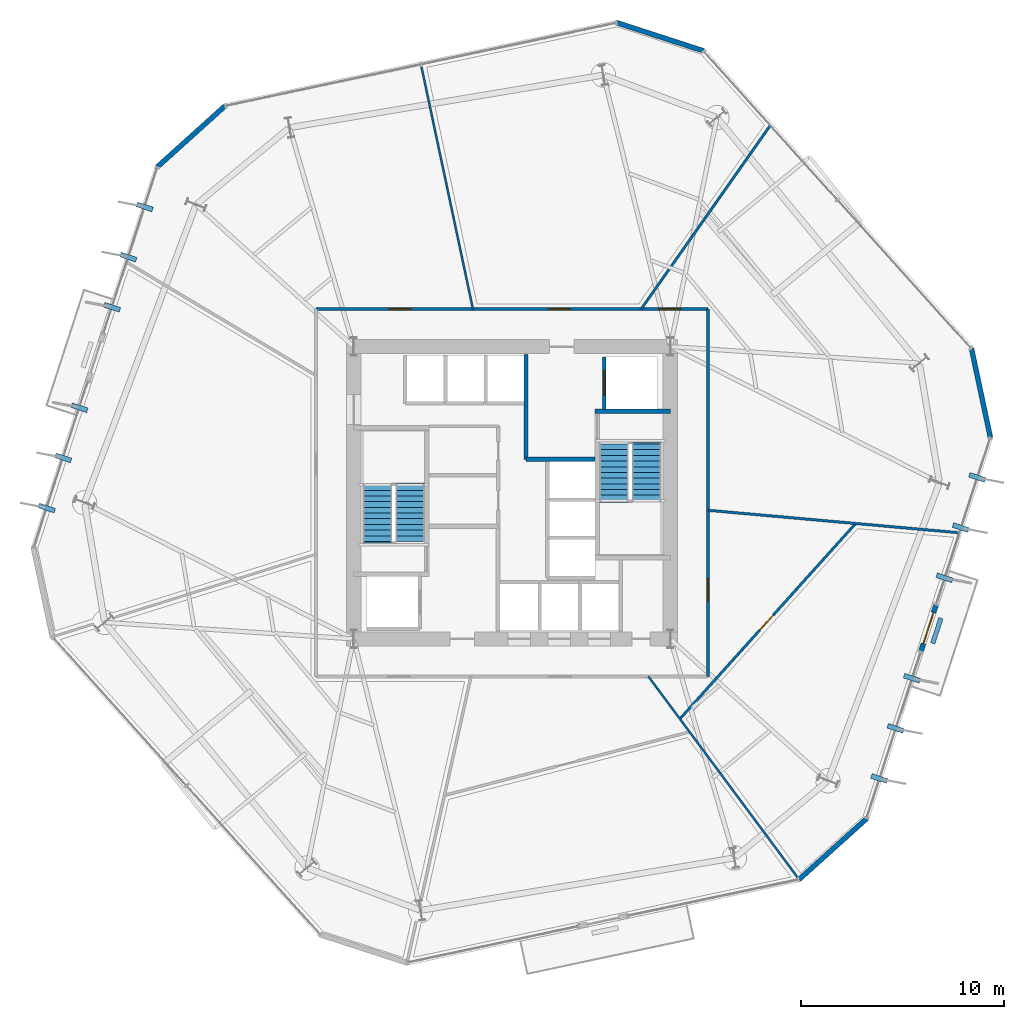
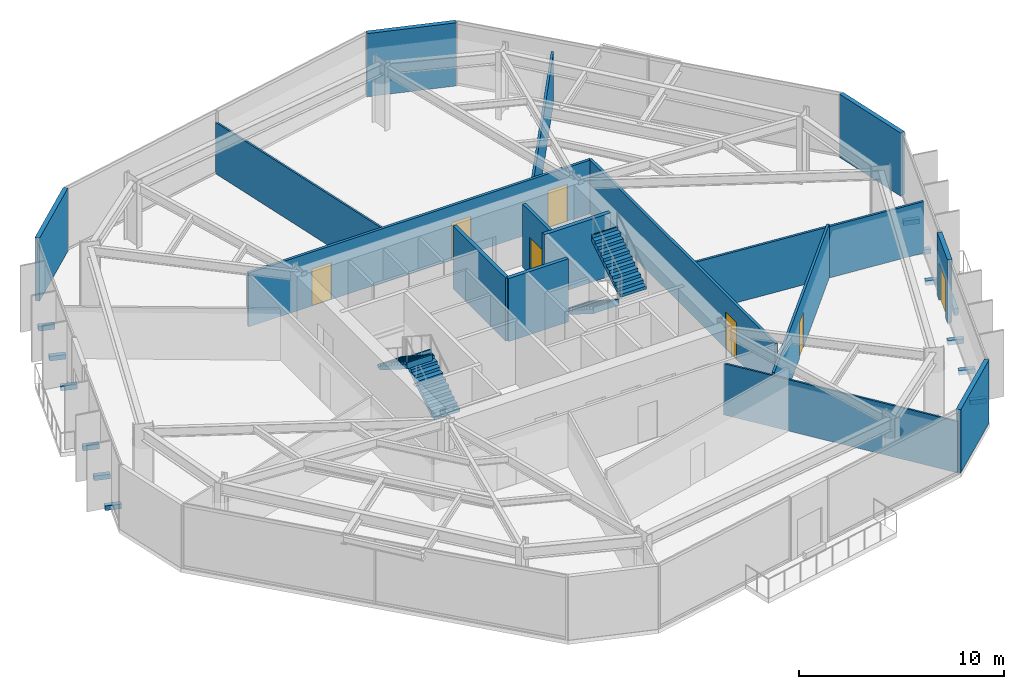
# One storey, part 7 of 10: 17 walls, 12 discrete accessories, 7 doors, 4 stair flights, 7 openings, 2 elements without a shape of their own.
"""IFC4 building model written with IfcOpenShell, lengths in metres."""

from ifc_helpers import new_model, si_unit, direction, frame, frame_2d, origin, origin_2d, place, context, subcontext, project, spatial, polyline, rectangle, outline, extrude, material, layer, layer_set, type_object, element, fill, aggregate, save


model = new_model("IFC4")

# Units and contexts
model_context = context("Model", 3, precision=1e-05, world=origin(), true_north=direction((0.0, 1.0)))
body_context = subcontext(model_context, "Body", "Model", "MODEL_VIEW")
ifc_project = project(units=[si_unit("LENGTHUNIT", "METRE"), si_unit("AREAUNIT", "SQUARE_METRE"), si_unit("VOLUMEUNIT", "CUBIC_METRE"), si_unit("PLANEANGLEUNIT", "RADIAN"), si_unit("MASSUNIT", "GRAM", prefix="KILO")], contexts=[model_context])

# Site, building, storey
site_placement = place(None, origin())
site = spatial("IfcSite", under=ifc_project, at=site_placement, CompositionType="ELEMENT")
building_placement = place(site_placement, origin())
building = spatial("IfcBuilding", under=site, at=building_placement, Name="Kranzbogen Civic Tower", CompositionType="ELEMENT")
storey_placement = place(building_placement, frame((0.0, 0.0, 68.0)))
storey = spatial("IfcBuildingStorey", under=building, at=storey_placement, Name="L16", CompositionType="ELEMENT", Elevation=68.0)

# Wall, openings, doors
ifc_material_1 = material(Name="Double-Stud Acoustic Gypsum Partition")
ifc_layer_1 = layer(ifc_material_1, 0.14990234375, Name="Double-Stud Acoustic Gypsum Partition")
ifc_layer_set_1 = layer_set([ifc_layer_1], Name="Double-Stud Acoustic Gypsum Partition")
wall_type_1 = type_object("IfcWallType", Name="Acoustic Corridor and Clinical Partition 150 mm", PredefinedType="PARTITIONING", material=ifc_layer_set_1)
wall_1_placement = place(storey_placement, frame((15.35009765625, 34.050048828125, 0.0), z_axis=(0.0, 0.0, 1.0), x_axis=(1.0, 0.0, 0.0)))
wall_1 = element("IfcWall", 1, at=wall_1_placement, inside=storey, type_object=wall_type_1, Name="L16 corridor partition 01", PredefinedType="PARTITIONING", context=body_context, shape_type="SweptSolid", body=[
    extrude(rectangle(XDim=19.2998046875, YDim=0.14990234375, at=frame_2d((9.64990234375, 0.0))), origin(), (0.0, 0.0, 1.0), 3.2099609375),
])
opening_1_placement = place(wall_1_placement, frame((16.8701171875, 0.0, 0.0)))
opening_1 = element("IfcOpeningElement", 2, at=opening_1_placement, cuts=wall_1, Name="Opening D-COR60", PredefinedType="OPENING", context=body_context, shape_type="SweptSolid", body=[
    extrude(rectangle(XDim=1.10009765625, YDim=2.199951171875, at=frame_2d((0.550048828125, 1.10009765625))), frame((0.0, 0.0849609375, 0.0), z_axis=(0.0, -1.0, 0.0), x_axis=(1.0, 0.0, 0.0)), (0.0, 0.0, 1.0), 0.169921875),
])
opening_2_placement = place(wall_1_placement, frame((11.430908203125, 0.0, 0.0)))
opening_2 = element("IfcOpeningElement", 3, at=opening_2_placement, cuts=wall_1, Name="Opening D-COR60", PredefinedType="OPENING", context=body_context, shape_type="SweptSolid", body=[
    extrude(rectangle(XDim=1.10009765625, YDim=2.199951171875, at=frame_2d((0.550048828125, 1.10009765625))), frame((0.0, 0.0849609375, 0.0), z_axis=(0.0, -1.0, 0.0), x_axis=(1.0, 0.0, 0.0)), (0.0, 0.0, 1.0), 0.169921875),
])
opening_3_placement = place(wall_1_placement, frame((3.5791015625, 0.0, 0.0)))
opening_3 = element("IfcOpeningElement", 4, at=opening_3_placement, cuts=wall_1, Name="Opening D-COR60", PredefinedType="OPENING", context=body_context, shape_type="SweptSolid", body=[
    extrude(rectangle(XDim=1.10009765625, YDim=2.199951171875, at=frame_2d((0.550048828125, 1.10009765625))), frame((0.0, 0.0849609375, 0.0), z_axis=(0.0, -1.0, 0.0), x_axis=(1.0, 0.0, 0.0)), (0.0, 0.0, 1.0), 0.169921875),
])
ifc_material_2 = material(Name="Oak Timber and Fire Core", Category="wood")
door_type_1 = type_object("IfcDoorType", Name="Corridor Acoustic Fire Door 1100x2200", OperationType="NOTDEFINED", PredefinedType="DOOR", material=ifc_material_2)
door_1_placement = place(opening_1_placement, origin())
door_1 = element("IfcDoor", 5, at=door_1_placement, inside=storey, type_object=door_type_1, Name="L16 Protocol Entrance Reception door", OperationType="SINGLE_SWING_RIGHT", OverallHeight=2.199951171875, OverallWidth=1.10009765625, PredefinedType="DOOR", context=body_context, shape_type="SweptSolid", body=[
    extrude(rectangle(XDim=1.10009765625, YDim=2.199951171875, at=frame_2d((0.550048828125, 1.10009765625))), frame((0.0, 0.02490234375, 0.0), z_axis=(0.0, -1.0, 0.0), x_axis=(1.0, 0.0, 0.0)), (0.0, 0.0, 1.0), 0.050048828125),
])
fill(opening_1, door_1)
door_2_placement = place(opening_2_placement, origin())
door_2 = element("IfcDoor", 6, at=door_2_placement, inside=storey, type_object=door_type_1, Name="L16 Citizen Services Kiosk door", OperationType="SINGLE_SWING_LEFT", OverallHeight=2.199951171875, OverallWidth=1.10009765625, PredefinedType="DOOR", context=body_context, shape_type="SweptSolid", body=[
    extrude(rectangle(XDim=1.10009765625, YDim=2.199951171875, at=frame_2d((0.550048828125, 1.10009765625))), frame((0.0, 0.02490234375, 0.0), z_axis=(0.0, -1.0, 0.0), x_axis=(1.0, 0.0, 0.0)), (0.0, 0.0, 1.0), 0.050048828125),
])
fill(opening_2, door_2)
door_3_placement = place(opening_3_placement, origin())
door_3 = element("IfcDoor", 7, at=door_3_placement, inside=storey, type_object=door_type_1, Name="L16 Executive Briefing Conference Room door", OperationType="SINGLE_SWING_RIGHT", OverallHeight=2.199951171875, OverallWidth=1.10009765625, PredefinedType="DOOR", context=body_context, shape_type="SweptSolid", body=[
    extrude(rectangle(XDim=1.10009765625, YDim=2.199951171875, at=frame_2d((0.550048828125, 1.10009765625))), frame((0.0, 0.02490234375, 0.0), z_axis=(0.0, -1.0, 0.0), x_axis=(1.0, 0.0, 0.0)), (0.0, 0.0, 1.0), 0.050048828125),
])
fill(opening_3, door_3)

# Wall, opening, door
wall_2_placement = place(storey_placement, frame((34.64990234375, 34.050048828125, 0.0), z_axis=(0.0, 0.0, 1.0), x_axis=(0.0, -1.0, 0.0)))
wall_2 = element("IfcWall", 8, at=wall_2_placement, inside=storey, type_object=wall_type_1, Name="L16 corridor partition 02", PredefinedType="PARTITIONING", context=body_context, shape_type="SweptSolid", body=[
    extrude(rectangle(XDim=18.10009765625, YDim=0.14990234375, at=frame_2d((9.050048828125, 0.0))), origin(), (0.0, 0.0, 1.0), 3.2099609375),
])
opening_4_placement = place(wall_2_placement, frame((13.27587890625, 0.0, 0.0)))
opening_4 = element("IfcOpeningElement", 9, at=opening_4_placement, cuts=wall_2, Name="Opening D-COR60", PredefinedType="OPENING", context=body_context, shape_type="SweptSolid", body=[
    extrude(rectangle(XDim=1.10009765625, YDim=2.199951171875, at=frame_2d((0.550048828125, 1.10009765625))), frame((0.0, 0.0849609375, 0.0), z_axis=(0.0, -1.0, 0.0), x_axis=(1.0, 0.0, 0.0)), (0.0, 0.0, 1.0), 0.169921875),
])
door_4_placement = place(opening_4_placement, origin())
door_4 = element("IfcDoor", 10, at=door_4_placement, inside=storey, type_object=door_type_1, Name="L16 Public Delegation Reception door", OperationType="SINGLE_SWING_RIGHT", OverallHeight=2.199951171875, OverallWidth=1.10009765625, PredefinedType="DOOR", context=body_context, shape_type="SweptSolid", body=[
    extrude(rectangle(XDim=1.10009765625, YDim=2.199951171875, at=frame_2d((0.550048828125, 1.10009765625))), frame((0.0, 0.02490234375, 0.0), z_axis=(0.0, -1.0, 0.0), x_axis=(1.0, 0.0, 0.0)), (0.0, 0.0, 1.0), 0.050048828125),
])
fill(opening_4, door_4)

# Walls
ifc_material_3 = material(Name="Insulated Metal-Stud Gypsum Partition")
ifc_layer_2 = layer(ifc_material_3, 0.125, Name="Insulated Metal-Stud Gypsum Partition")
ifc_layer_set_2 = layer_set([ifc_layer_2], Name="Insulated Metal-Stud Gypsum Partition")
wall_type_2 = type_object("IfcWallType", Name="Acoustic Inter-Room Partition 125 mm", PredefinedType="PARTITIONING", material=ifc_layer_set_2)
wall_3_placement = place(storey_placement, frame((31.363037109375, 34.050048828125, 0.0), z_axis=(0.0, 0.0, 1.0), x_axis=(0.575191769802, 0.818018598782, 0.0)))
element("IfcWall", 11, at=wall_3_placement, inside=storey, type_object=wall_type_2, Name="L16 radial room partition 01", PredefinedType="PARTITIONING", context=body_context, shape_type="SweptSolid", body=[
    extrude(rectangle(XDim=11.04833984375, YDim=0.125, at=frame_2d((5.524169921875, 0.0))), origin(), (0.0, 0.0, 1.0), 3.050048828125),
])
wall_4_placement = place(storey_placement, frame((34.64990234375, 24.136962890625, 0.0), z_axis=(0.0, 0.0, 1.0), x_axis=(0.996022646165, -0.089100439541, 0.0)))
element("IfcWall", 12, at=wall_4_placement, inside=storey, type_object=wall_type_2, Name="L16 radial room partition 07", PredefinedType="PARTITIONING", context=body_context, shape_type="SweptSolid", body=[
    extrude(rectangle(XDim=12.42333984375, YDim=0.125, at=frame_2d((6.211669921875, 0.0))), origin(), (0.0, 0.0, 1.0), 3.06005859375),
])

# Wall, opening, door
wall_5_placement = place(storey_placement, frame((33.281005859375, 13.8701171875, 0.0), z_axis=(0.0, 0.0, 1.0), x_axis=(0.668723423756, 0.74351125245, 0.0)))
wall_5 = element("IfcWall", 13, at=wall_5_placement, inside=storey, type_object=wall_type_2, Name="L16 suite chord partition 02", PredefinedType="PARTITIONING", context=body_context, shape_type="SweptSolid", body=[
    extrude(rectangle(XDim=12.9140625, YDim=0.125, at=frame_2d((6.45703125, 0.0))), origin(), (0.0, 0.0, 1.0), 3.2099609375),
])
opening_5_placement = place(wall_5_placement, frame((5.867919921875, 0.0, 0.0)))
opening_5 = element("IfcOpeningElement", 14, at=opening_5_placement, cuts=wall_5, Name="Opening D-OFC10", PredefinedType="OPENING", context=body_context, shape_type="SweptSolid", body=[
    extrude(rectangle(XDim=1.0, YDim=2.14990234375, at=frame_2d((0.5, 1.074951171875))), frame((0.0, 0.072509765625, 0.0), z_axis=(0.0, -1.0, 0.0), x_axis=(1.0, 0.0, 0.0)), (0.0, 0.0, 1.0), 0.14501953125),
])
ifc_material_4 = material(Name="Oak Timber Veneer", Category="wood")
door_type_2 = type_object("IfcDoorType", Name="Standard Office Acoustic Door 1000x2150", OperationType="NOTDEFINED", PredefinedType="DOOR", material=ifc_material_4)
door_5_placement = place(opening_5_placement, origin())
door_5 = element("IfcDoor", 15, at=door_5_placement, inside=storey, type_object=door_type_2, Name="L16 Ministerial Policy Office door", OperationType="SINGLE_SWING_LEFT", OverallHeight=2.14990234375, OverallWidth=1.0, PredefinedType="DOOR", context=body_context, shape_type="SweptSolid", body=[
    extrude(rectangle(XDim=1.0, YDim=2.14990234375, at=frame_2d((0.5, 1.074951171875))), frame((0.0, 0.02490234375, 0.0), z_axis=(0.0, -1.0, 0.0), x_axis=(1.0, 0.0, 0.0)), (0.0, 0.0, 1.0), 0.050048828125),
])
fill(opening_5, door_5)

# Walls
ifc_material_5 = material(Name="Architectural Precast Terracotta Concrete C40/50", Category="masonry")
ifc_layer_3 = layer(ifc_material_5, 0.219970703125, Name="Architectural Precast Terracotta Concrete C40/50")
ifc_layer_set_3 = layer_set([ifc_layer_3], Name="Architectural Precast Terracotta Concrete C40/50")
wall_type_3 = type_object("IfcWallType", Name="Architectural Tree Planter Kerb Wall 220 mm", PredefinedType="USERDEFINED", material=ifc_layer_set_3)
wall_6_placement = place(storey_placement, frame((45.72705078125, 17.58203125, 0.0), z_axis=(0.0, 0.0, 1.0), x_axis=(0.309175263073, 0.951005077118, 0.0)))
element("IfcWall", 16, at=wall_6_placement, inside=storey, type_object=wall_type_3, Name="L16 landscaped tree balcony planter L16-TB2", ObjectType="PLANTER_WALL", PredefinedType="USERDEFINED", context=body_context, shape_type="SweptSolid", body=[
    extrude(rectangle(XDim=1.2998046875, YDim=0.219970703125, at=frame_2d((0.64990234375, 0.0))), origin(), (0.0, 0.0, 1.0), 0.39990234375),
])
ifc_material_6 = material(Name="Concrete C45/55", Category="concrete")
ifc_layer_4 = layer(ifc_material_6, 0.219970703125, Name="Concrete C45/55")
ifc_layer_set_4 = layer_set([ifc_layer_4], Name="Concrete C45/55")
wall_type_4 = type_object("IfcWallType", Name="Core Internal Stair Structural Wall 220 mm", PredefinedType="SOLIDWALL", material=ifc_layer_set_4)
wall_7_placement = place(storey_placement, frame((29.080078125, 29.010009765625, 0.0), z_axis=(0.0, 0.0, 1.0), x_axis=(1.0, 0.0, 0.0)))
element("IfcWall", 17, at=wall_7_placement, inside=storey, type_object=wall_type_4, Name="L16 ST-T2 North structural stair wall", PredefinedType="SOLIDWALL", context=body_context, shape_type="SweptSolid", body=[
    extrude(rectangle(XDim=3.719970703125, YDim=0.219970703125, at=frame_2d((1.85986328125, 0.0))), origin(), (0.0, 0.0, 1.0), 3.760009765625),
])
ifc_material_7 = material(Name="Demountable Aluminium and Gypsum Partition", Category="aluminium")
ifc_layer_5 = layer(ifc_material_7, 0.10009765625, Name="Demountable Aluminium and Gypsum Partition")
ifc_layer_set_5 = layer_set([ifc_layer_5], Name="Demountable Aluminium and Gypsum Partition")
wall_type_5 = type_object("IfcWallType", Name="Demountable Office Partition 100 mm", PredefinedType="MOVABLE", material=ifc_layer_set_5)
wall_8_placement = place(storey_placement, frame((23.075927734375, 34.050048828125, 0.0), z_axis=(0.0, 0.0, 1.0), x_axis=(-0.207833360253, 0.978164247131, 0.0)))
element("IfcWall", 18, at=wall_8_placement, inside=storey, type_object=wall_type_5, Name="L16 radial room partition 02", PredefinedType="MOVABLE", context=body_context, shape_type="SweptSolid", body=[
    extrude(rectangle(XDim=12.302490234375, YDim=0.10009765625, at=frame_2d((6.1513671875, 0.0))), origin(), (0.0, 0.0, 1.0), 3.06005859375),
])
wall_9_placement = place(storey_placement, frame((31.718994140625, 15.949951171875, 0.0), z_axis=(0.0, 0.0, 1.0), x_axis=(0.596065473306, -0.802935832762, 0.0)))
element("IfcWall", 19, at=wall_9_placement, inside=storey, type_object=wall_type_5, Name="L16 radial room partition 06", PredefinedType="MOVABLE", context=body_context, shape_type="SweptSolid", body=[
    extrude(rectangle(XDim=12.43310546875, YDim=0.10009765625, at=frame_2d((6.216552734375, 0.0))), origin(), (0.0, 0.0, 1.0), 3.06005859375),
])
ifc_material_8 = material(Name="Gypsum Fireboard and Concrete Block", Category="concrete")
ifc_layer_6 = layer(ifc_material_8, 0.199951171875, Name="Gypsum Fireboard and Concrete Block")
ifc_layer_set_6 = layer_set([ifc_layer_6], Name="Gypsum Fireboard and Concrete Block")
wall_type_6 = type_object("IfcWallType", Name="Fire-Rated Exit Passageway and Stair Wall 200 mm", PredefinedType="PARTITIONING", material=ifc_layer_set_6)
wall_10_placement = place(storey_placement, frame((25.699951171875, 26.64990234375, 0.0), z_axis=(0.0, 0.0, 1.0), x_axis=(0.0, 1.0, 0.0)))
element("IfcWall", 20, at=wall_10_placement, inside=storey, type_object=wall_type_6, Name="L16 East firefighting lobby West wall", PredefinedType="PARTITIONING", context=body_context, shape_type="SweptSolid", body=[
    extrude(rectangle(XDim=5.150146484375, YDim=0.199951171875, at=frame_2d((2.5751953125, 0.0))), origin(), (0.0, 0.0, 1.0), 3.760009765625),
])
wall_11_placement = place(storey_placement, frame((25.699951171875, 26.64990234375, 0.0), z_axis=(0.0, 0.0, 1.0), x_axis=(1.0, 0.0, 0.0)))
element("IfcWall", 21, at=wall_11_placement, inside=storey, type_object=wall_type_6, Name="L16 East firefighting lobby South wall", PredefinedType="PARTITIONING", context=body_context, shape_type="SweptSolid", body=[
    extrude(rectangle(XDim=3.380126953125, YDim=0.199951171875, at=frame_2d((1.68994140625, 0.0))), origin(), (0.0, 0.0, 1.0), 3.760009765625),
])

# Wall, opening, door
ifc_material_9 = material(Name="Gypsum Fireboard Shaftliner")
ifc_layer_7 = layer(ifc_material_9, 0.175048828125, Name="Gypsum Fireboard Shaftliner")
ifc_layer_set_7 = layer_set([ifc_layer_7], Name="Gypsum Fireboard Shaftliner")
wall_type_7 = type_object("IfcWallType", Name="Fire-Rated Lift and Service Shaft Wall 175 mm", PredefinedType="PARTITIONING", material=ifc_layer_set_7)
wall_12_placement = place(storey_placement, frame((29.550048828125, 29.10009765625, 0.0), z_axis=(0.0, 0.0, 1.0), x_axis=(0.0, 1.0, 0.0)))
wall_12 = element("IfcWall", 22, at=wall_12_placement, inside=storey, type_object=wall_type_7, Name="L16 lift FF-02 landing wall", PredefinedType="PARTITIONING", context=body_context, shape_type="SweptSolid", body=[
    extrude(rectangle(XDim=2.599853515625, YDim=0.175048828125, at=frame_2d((1.2998046875, 0.0))), origin(), (0.0, 0.0, 1.0), 3.760009765625),
])
opening_6_placement = place(wall_12_placement, frame((0.699951171875, 0.0, 0.0)))
opening_6 = element("IfcOpeningElement", 23, at=opening_6_placement, cuts=wall_12, Name="Opening LD-FF-02", PredefinedType="OPENING", context=body_context, shape_type="SweptSolid", body=[
    extrude(rectangle(XDim=1.199951171875, YDim=2.199951171875, at=frame_2d((0.60009765625, 1.10009765625))), frame((0.0, 0.09765625, 0.0), z_axis=(0.0, -1.0, 0.0), x_axis=(1.0, 0.0, 0.0)), (0.0, 0.0, 1.0), 0.195068359375),
])
ifc_material_10 = material(Name="Pale Anodised Aluminium", Category="aluminium")
door_type_3 = type_object("IfcDoorType", Name="Firefighting and Stretcher Lift Sliding Landing Door 1200x2200", OperationType="DOUBLE_DOOR_SLIDING", PredefinedType="DOOR", material=ifc_material_10)
door_6_placement = place(opening_6_placement, origin())
door_6 = element("IfcDoor", 24, at=door_6_placement, inside=storey, type_object=door_type_3, Name="L16 lift FF-02 sliding landing door", OperationType="DOUBLE_DOOR_SLIDING", OverallHeight=2.199951171875, OverallWidth=1.199951171875, PredefinedType="DOOR", context=body_context, shape_type="SweptSolid", body=[
    extrude(rectangle(XDim=1.199951171875, YDim=2.199951171875, at=frame_2d((0.60009765625, 1.10009765625))), frame((0.0, 0.02490234375, 0.0), z_axis=(0.0, -1.0, 0.0), x_axis=(1.0, 0.0, 0.0)), (0.0, 0.0, 1.0), 0.050048828125),
])
fill(opening_6, door_6)

# Walls
ifc_layer_8 = layer(ifc_material_10, 0.239990234375, Name="Pale Anodised Aluminium")
ifc_layer_set_8 = layer_set([ifc_layer_8], Name="Pale Anodised Aluminium")
wall_type_8 = type_object("IfcWallType", Name="Insulated Aluminium Facade Portal Wall 240 mm", PredefinedType="STANDARD", material=ifc_layer_set_8)
wall_13_placement = place(storey_placement, frame((34.425048828125, 46.77197265625, 0.0), z_axis=(0.0, 0.0, 1.0), x_axis=(-0.951132297172, 0.308783667438, 0.0)))
element("IfcWall", 25, at=wall_13_placement, inside=storey, type_object=wall_type_8, Name="L16 chamfered corner facade spandrel 1", PredefinedType="STANDARD", context=body_context, shape_type="SweptSolid", body=[
    extrude(rectangle(XDim=4.47265625, YDim=0.239990234375, at=frame_2d((2.236328125, 0.0))), origin(), (0.0, 0.0, 1.0), 3.760009765625),
])
for number, where, z_axis, x_axis, name in (
    (26, (10.85791015625, 44.049072265625, 0.0), (0.0, 0.0, 1.0), (-0.743009154356, -0.669281253692, 0.0), "L16 chamfered corner facade spandrel 2"),
    (27, (39.14208984375, 5.950927734375, 0.0), (0.0, 0.0, 1.0), (0.743009154356, 0.669281253692, 0.0), "L16 chamfered corner facade spandrel 5"),
):
    element("IfcWall", number, at=place(storey_placement, frame(where, z_axis=z_axis, x_axis=x_axis)), inside=storey, type_object=wall_type_8, Name=name, PredefinedType="STANDARD", context=body_context, shape_type="SweptSolid", body=[
        extrude(rectangle(XDim=4.4736328125, YDim=0.239990234375, at=frame_2d((2.23681640625, 0.0))), origin(), (0.0, 0.0, 1.0), 3.760009765625),
    ])

# Wall, opening, door
wall_14_placement = place(storey_placement, frame((45.14599609375, 17.19189453125, 0.0), z_axis=(0.0, 0.0, 1.0), x_axis=(0.309049280464, 0.951046025303, 0.0)))
wall_14 = element("IfcWall", 28, at=wall_14_placement, inside=storey, type_object=wall_type_8, Name="L16 exterior entrance portal wall 1", PredefinedType="STANDARD", context=body_context, shape_type="SweptSolid", body=[
    extrude(rectangle(XDim=2.400634765625, YDim=0.239990234375, at=frame_2d((1.2001953125, 0.0))), origin(), (0.0, 0.0, 1.0), 3.760009765625),
])
opening_7_placement = place(wall_14_placement, frame((0.39990234375, 0.0, 0.0)))
opening_7 = element("IfcOpeningElement", 29, at=opening_7_placement, cuts=wall_14, Name="Opening D-TER", PredefinedType="OPENING", context=body_context, shape_type="SweptSolid", body=[
    extrude(rectangle(XDim=1.60009765625, YDim=2.25, at=frame_2d((0.800048828125, 1.125))), frame((0.0, 0.1298828125, 0.0), z_axis=(0.0, -1.0, 0.0), x_axis=(1.0, 0.0, 0.0)), (0.0, 0.0, 1.0), 0.260009765625),
])
ifc_material_11 = material(Name="Anodised Bronze and Triple Glass", Category="glass")
door_type_4 = type_object("IfcDoorType", Name="Glazed Terrace and Balcony Double Door 1600x2250", OperationType="DOUBLE_DOOR_SINGLE_SWING", PredefinedType="DOOR", material=ifc_material_11)
door_7_placement = place(opening_7_placement, frame((1.60009765625, 0.0, 0.0), z_axis=(0.0, 0.0, 1.0), x_axis=(-1.0, 0.0, 0.0)))
door_7 = element("IfcDoor", 30, at=door_7_placement, inside=storey, type_object=door_type_4, Name="L16 tree balcony access door L16-TB2", OperationType="DOUBLE_DOOR_SINGLE_SWING", OverallHeight=2.25, OverallWidth=1.60009765625, PredefinedType="DOOR", context=body_context, shape_type="SweptSolid", body=[
    extrude(rectangle(XDim=1.60009765625, YDim=2.25, at=frame_2d((0.800048828125, 1.125))), frame((0.0, 0.02490234375, 0.0), z_axis=(0.0, -1.0, 0.0), x_axis=(1.0, 0.0, 0.0)), (0.0, 0.0, 1.0), 0.050048828125),
])
fill(opening_7, door_7)

# Wall
wall_15_placement = place(storey_placement, frame((48.568115234375, 27.722900390625, 0.0), z_axis=(0.0, 0.0, 1.0), x_axis=(-0.20817208226, 0.978092216597, 0.0)))
element("IfcWall", 31, at=wall_15_placement, inside=storey, type_object=wall_type_8, Name="L16 chamfered corner facade spandrel 6", PredefinedType="STANDARD", context=body_context, shape_type="SweptSolid", body=[
    extrude(rectangle(XDim=4.472900390625, YDim=0.239990234375, at=frame_2d((2.236328125, 0.0))), origin(), (0.0, 0.0, 1.0), 3.760009765625),
])

# Stair, stair flights
ifc_material_12 = material(Name="Precast concrete C40/50", Category="concrete")
stair_type_1 = type_object("IfcStairType", Name="Tower Core Pressurized Dogleg Stair 1450", PredefinedType="HALF_TURN_STAIR", material=ifc_material_12)
stair_1_placement = place(storey_placement, origin())
stair_1 = element("IfcStair", 32, at=stair_1_placement, inside=storey, type_object=stair_type_1, Name="L16 Tower Core Pressurized Stair 1", PredefinedType="HALF_TURN_STAIR")
stair_flight_type = type_object("IfcStairFlightType", Name="Precast Concrete Stair Flight R180", PredefinedType="STRAIGHT", material=ifc_material_12)
stair_flight_1_placement = place(storey_placement, frame((19.97509765625, 22.60009765625, 0.0), z_axis=(0.0, 0.0, 1.0), x_axis=(0.0, 1.0, 0.0)))
stair_flight_1 = element("IfcStairFlight", 33, at=stair_flight_1_placement, type_object=stair_flight_type, Name="ST-T1 flight 1", NumberOfRisers=11, NumberOfTreads=10, PredefinedType="STRAIGHT", RiserHeight=0.181818182, TreadLength=0.28, context=body_context, shape_type="SweptSolid", body=[
    extrude(outline(polyline([(0.0, 0.0), (0.0, 0.181884765625), (0.280029296875, 0.181884765625), (0.280029296875, 0.363525390625), (0.56005859375, 0.363525390625), (0.56005859375, 0.54541015625), (0.840087890625, 0.54541015625), (0.840087890625, 0.727294921875), (1.1201171875, 0.727294921875), (1.1201171875, 0.9091796875), (1.39990234375, 0.9091796875), (1.39990234375, 1.0908203125), (1.679931640625, 1.0908203125), (1.679931640625, 1.272705078125), (1.9599609375, 1.272705078125), (1.9599609375, 1.45458984375), (2.239990234375, 1.45458984375), (2.239990234375, 1.636474609375), (2.52001953125, 1.636474609375), (2.52001953125, 1.818115234375), (2.800048828125, 1.818115234375), (2.800048828125, 2.0), (2.880126953125, 2.0), (2.880126953125, 1.639404296875), (0.275146484375, 0.0), (0.0, 0.0)])), frame((0.0, 0.72509765625, 0.0), z_axis=(0.0, -1.0, 0.0), x_axis=(1.0, 0.0, 0.0)), (0.0, 0.0, 1.0), 1.449951171875),
])
stair_flight_2_placement = place(storey_placement, frame((18.375, 25.39990234375, 2.0), z_axis=(0.0, 0.0, 1.0), x_axis=(0.0, -1.0, 0.0)))
stair_flight_2 = element("IfcStairFlight", 34, at=stair_flight_2_placement, type_object=stair_flight_type, Name="ST-T1 flight 2", NumberOfRisers=11, NumberOfTreads=10, PredefinedType="STRAIGHT", RiserHeight=0.181818182, TreadLength=0.28, context=body_context, shape_type="SweptSolid", body=[
    extrude(outline(polyline([(0.0, 0.0), (0.0, 0.181884765625), (0.280029296875, 0.181884765625), (0.280029296875, 0.363525390625), (0.56005859375, 0.363525390625), (0.56005859375, 0.54541015625), (0.840087890625, 0.54541015625), (0.840087890625, 0.727294921875), (1.1201171875, 0.727294921875), (1.1201171875, 0.9091796875), (1.39990234375, 0.9091796875), (1.39990234375, 1.0908203125), (1.679931640625, 1.0908203125), (1.679931640625, 1.272705078125), (1.9599609375, 1.272705078125), (1.9599609375, 1.45458984375), (2.239990234375, 1.45458984375), (2.239990234375, 1.636474609375), (2.52001953125, 1.636474609375), (2.52001953125, 1.818115234375), (2.800048828125, 1.818115234375), (2.800048828125, 2.0), (2.880126953125, 2.0), (2.880126953125, 1.639404296875), (0.275146484375, 0.0), (0.0, 0.0)])), frame((0.0, 0.72509765625, 0.0), z_axis=(0.0, -1.0, 0.0), x_axis=(1.0, 0.0, 0.0)), (0.0, 0.0, 1.0), 1.449951171875),
])
aggregate(stair_1, [stair_flight_1, stair_flight_2])

stair_type_2 = type_object("IfcStairType", Name="Tower Core Secondary Dogleg Stair 1450", PredefinedType="HALF_TURN_STAIR", material=ifc_material_12)
stair_2_placement = place(storey_placement, origin())
stair_2 = element("IfcStair", 35, at=stair_2_placement, inside=storey, type_object=stair_type_2, Name="L16 Tower Core Pressurized Stair 2", PredefinedType="HALF_TURN_STAIR")
stair_flight_3_placement = place(storey_placement, frame((30.02490234375, 27.39990234375, 0.0), z_axis=(0.0, 0.0, 1.0), x_axis=(0.0, -1.0, 0.0)))
stair_flight_3 = element("IfcStairFlight", 36, at=stair_flight_3_placement, type_object=stair_flight_type, Name="ST-T2 flight 1", NumberOfRisers=11, NumberOfTreads=10, PredefinedType="STRAIGHT", RiserHeight=0.181818182, TreadLength=0.28, context=body_context, shape_type="SweptSolid", body=[
    extrude(outline(polyline([(0.0, 0.0), (0.0, 0.181884765625), (0.280029296875, 0.181884765625), (0.280029296875, 0.363525390625), (0.56005859375, 0.363525390625), (0.56005859375, 0.54541015625), (0.840087890625, 0.54541015625), (0.840087890625, 0.727294921875), (1.1201171875, 0.727294921875), (1.1201171875, 0.9091796875), (1.39990234375, 0.9091796875), (1.39990234375, 1.0908203125), (1.679931640625, 1.0908203125), (1.679931640625, 1.272705078125), (1.9599609375, 1.272705078125), (1.9599609375, 1.45458984375), (2.239990234375, 1.45458984375), (2.239990234375, 1.636474609375), (2.52001953125, 1.636474609375), (2.52001953125, 1.818115234375), (2.800048828125, 1.818115234375), (2.800048828125, 2.0), (2.880126953125, 2.0), (2.880126953125, 1.639404296875), (0.275146484375, 0.0), (0.0, 0.0)])), frame((0.0, 0.72509765625, 0.0), z_axis=(0.0, -1.0, 0.0), x_axis=(1.0, 0.0, 0.0)), (0.0, 0.0, 1.0), 1.449951171875),
])
stair_flight_4_placement = place(storey_placement, frame((31.625, 24.60009765625, 2.0), z_axis=(0.0, 0.0, 1.0), x_axis=(0.0, 1.0, 0.0)))
stair_flight_4 = element("IfcStairFlight", 37, at=stair_flight_4_placement, type_object=stair_flight_type, Name="ST-T2 flight 2", NumberOfRisers=11, NumberOfTreads=10, PredefinedType="STRAIGHT", RiserHeight=0.181818182, TreadLength=0.28, context=body_context, shape_type="SweptSolid", body=[
    extrude(outline(polyline([(0.0, 0.0), (0.0, 0.181884765625), (0.280029296875, 0.181884765625), (0.280029296875, 0.363525390625), (0.56005859375, 0.363525390625), (0.56005859375, 0.54541015625), (0.840087890625, 0.54541015625), (0.840087890625, 0.727294921875), (1.1201171875, 0.727294921875), (1.1201171875, 0.9091796875), (1.39990234375, 0.9091796875), (1.39990234375, 1.0908203125), (1.679931640625, 1.0908203125), (1.679931640625, 1.272705078125), (1.9599609375, 1.272705078125), (1.9599609375, 1.45458984375), (2.239990234375, 1.45458984375), (2.239990234375, 1.636474609375), (2.52001953125, 1.636474609375), (2.52001953125, 1.818115234375), (2.800048828125, 1.818115234375), (2.800048828125, 2.0), (2.880126953125, 2.0), (2.880126953125, 1.639404296875), (0.275146484375, 0.0), (0.0, 0.0)])), frame((0.0, 0.72509765625, 0.0), z_axis=(0.0, -1.0, 0.0), x_axis=(1.0, 0.0, 0.0)), (0.0, 0.0, 1.0), 1.449951171875),
])
aggregate(stair_2, [stair_flight_3, stair_flight_4])

# Discrete accessories
ifc_material_13 = material(Name="Steel S355", Category="steel")
discrete_accessory_type = type_object("IfcDiscreteAccessoryType", Name="Structural Curtain-Wall Fin Support Bracket", PredefinedType="BRACKET", material=ifc_material_13)
for number, where, z_axis, x_axis, name in (
    (38, (6.906005859375, 39.080078125, -0.25), (0.0, 0.0, 1.0), (-0.951056516295, 0.309016994375, 0.0), "L16 facade fin support bracket F3-1"),
    (39, (6.10205078125, 36.60791015625, -0.25), (0.0, 0.0, 1.0), (-0.951056516295, 0.309016994375, 0.0), "L16 facade fin support bracket F3-2"),
    (40, (5.299072265625, 34.135009765625, -0.25), (0.0, 0.0, 1.0), (-0.951056516295, 0.309016994375, 0.0), "L16 facade fin support bracket F3-3"),
    (41, (3.69189453125, 29.18994140625, -0.25), (0.0, 0.0, 1.0), (-0.951056516295, 0.309016994375, 0.0), "L16 facade fin support bracket F3-5"),
    (42, (2.887939453125, 26.717041015625, -0.25), (0.0, 0.0, 1.0), (-0.951056516295, 0.309016994375, 0.0), "L16 facade fin support bracket F3-6"),
    (43, (2.0849609375, 24.243896484375, -0.25), (0.0, 0.0, 1.0), (-0.951056516295, 0.309016994375, 0.0), "L16 facade fin support bracket F3-7"),
    (44, (43.093994140625, 10.919921875, -0.25), (0.0, 0.0, 1.0), (0.951056516295, -0.309016994375, 0.0), "L16 facade fin support bracket F6-1"),
    (45, (43.89794921875, 13.39208984375, -0.25), (0.0, 0.0, 1.0), (0.951056516295, -0.309016994375, 0.0), "L16 facade fin support bracket F6-2"),
    (46, (44.700927734375, 15.864990234375, -0.25), (0.0, 0.0, 1.0), (0.951056516295, -0.309016994375, 0.0), "L16 facade fin support bracket F6-3"),
    (47, (46.30810546875, 20.81005859375, -0.25), (0.0, 0.0, 1.0), (0.951056516295, -0.309016994375, 0.0), "L16 facade fin support bracket F6-5"),
    (48, (47.112060546875, 23.282958984375, -0.25), (0.0, 0.0, 1.0), (0.951056516295, -0.309016994375, 0.0), "L16 facade fin support bracket F6-6"),
    (49, (47.9150390625, 25.756103515625, -0.25), (0.0, 0.0, 1.0), (0.951056516295, -0.309016994375, 0.0), "L16 facade fin support bracket F6-7"),
):
    element("IfcDiscreteAccessory", number, at=place(storey_placement, frame(where, z_axis=z_axis, x_axis=x_axis)), inside=storey, type_object=discrete_accessory_type, Name=name, PredefinedType="BRACKET", context=body_context, shape_type="SweptSolid", body=[
        extrude(rectangle(XDim=0.820068359375, YDim=0.239990234375, at=origin_2d()), origin(), (0.0, 0.0, 1.0), 0.280029296875),
    ])

save(model, "model.ifc")
